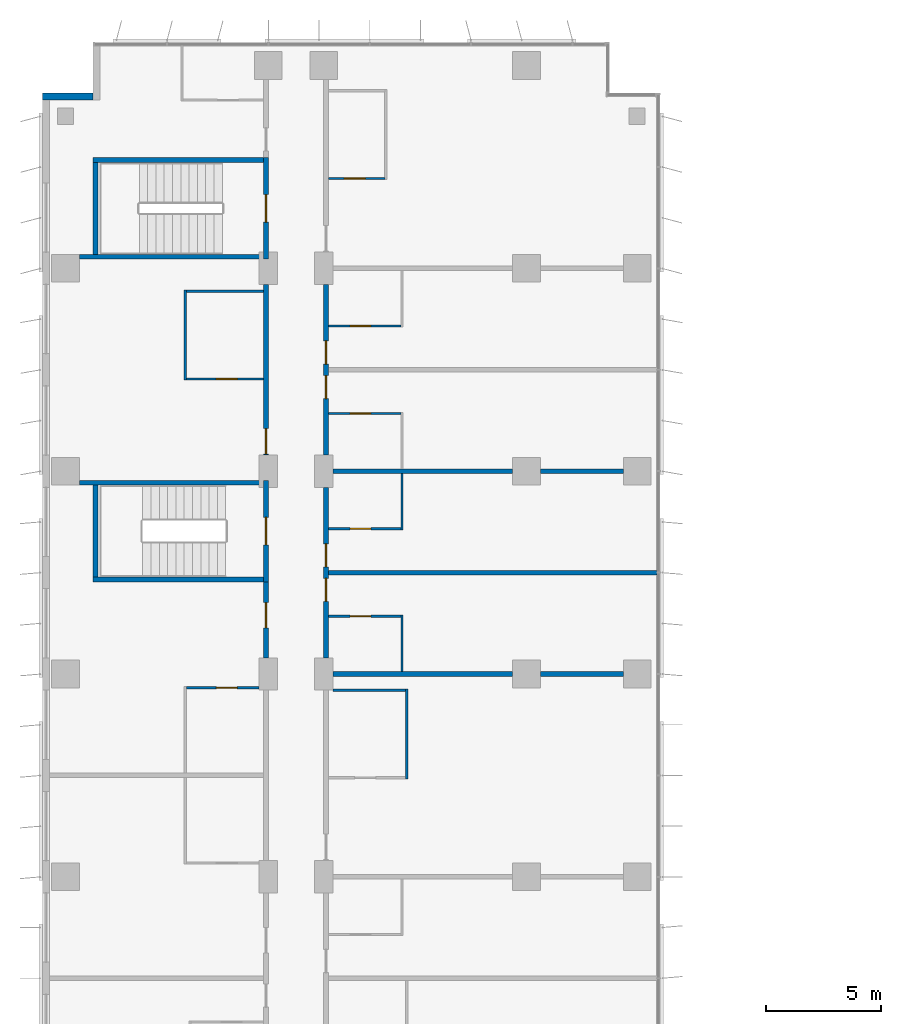
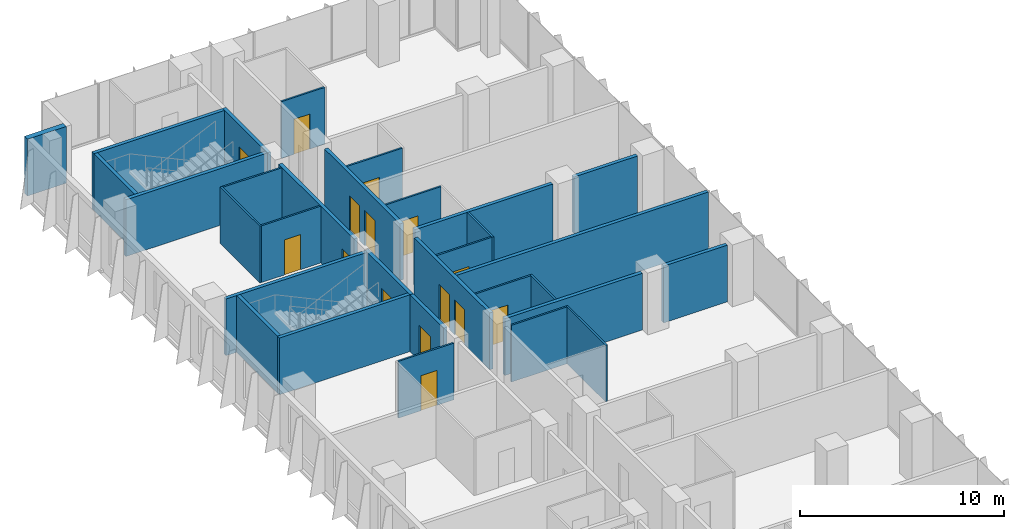
# One storey, part 16 of 22: 31 walls, 15 doors, 15 openings.
"""IFC4 building model written with IfcOpenShell, lengths in metres."""

from ifc_helpers import new_model, si_unit, direction, frame, frame_2d, origin, place, context, subcontext, project, spatial, rectangle, extrude, material, layer, layer_set, type_object, element, fill, save


model = new_model("IFC4")

# Units and contexts
model_context = context("Model", 3, precision=1e-05, world=origin(), true_north=direction((0.0, 1.0)))
body_context = subcontext(model_context, "Body", "Model", "MODEL_VIEW")
ifc_project = project(units=[si_unit("LENGTHUNIT", "METRE"), si_unit("AREAUNIT", "SQUARE_METRE"), si_unit("VOLUMEUNIT", "CUBIC_METRE"), si_unit("PLANEANGLEUNIT", "RADIAN"), si_unit("MASSUNIT", "GRAM", prefix="KILO")], contexts=[model_context])

# Site, building, storey
site_placement = place(None, origin())
site = spatial("IfcSite", under=ifc_project, at=site_placement, CompositionType="ELEMENT")
building_placement = place(site_placement, origin())
building = spatial("IfcBuilding", under=site, at=building_placement, Name="Kemantara Hotel Tower", CompositionType="ELEMENT")
storey_placement = place(building_placement, frame((0.0, 0.0, 94.5)))
storey = spatial("IfcBuildingStorey", under=building, at=storey_placement, Name="L22", CompositionType="ELEMENT", Elevation=94.5)

# Wall
ifc_material_1 = material(Name="Bronze anodised aluminium cladding on insulated steel stud wall", Category="steel")
ifc_layer_1 = layer(ifc_material_1, 0.300048828125)
ifc_layer_set_1 = layer_set([ifc_layer_1], Name="Bronze anodised aluminium cladding on insulated steel stud wall")
wall_type_1 = type_object("IfcWallType", Name="BRONZE METAL-CLAD EXTERNAL WALL 300", PredefinedType="STANDARD", material=ifc_layer_set_1)
wall_1_placement = place(storey_placement, frame((2.199951171875, 78.85009765625, 0.0), z_axis=(0.0, 0.0, 1.0), x_axis=(-1.0, 0.0, 0.0)))
element("IfcWall", 1, at=wall_1_placement, inside=storey, type_object=wall_type_1, Name="EXTERNAL WALL L22 T2-R03", PredefinedType="STANDARD", context=body_context, shape_type="SweptSolid", body=[
    extrude(rectangle(XDim=2.199951171875, YDim=0.300048828125, at=frame_2d((1.10009765625, 0.0))), origin(), (0.0, 0.0, 1.0), 3.39990234375),
])

# Wall, opening, door
ifc_material_2 = material(Name="Gypsum board partition, steel studs and mineral wool, 200 mm", Category="steel")
ifc_layer_2 = layer(ifc_material_2, 0.199951171875)
ifc_layer_set_2 = layer_set([ifc_layer_2], Name="Gypsum board partition, steel studs and mineral wool, 200 mm")
wall_type_2 = type_object("IfcWallType", Name="CORRIDOR WALL 200", PredefinedType="PARTITIONING", material=ifc_layer_set_2)
wall_2_placement = place(storey_placement, frame((9.699951171875, 54.5, 0.0), z_axis=(0.0, 0.0, 1.0), x_axis=(0.0, 1.0, 0.0)))
wall_2 = element("IfcWall", 2, at=wall_2_placement, inside=storey, type_object=wall_type_2, Name="CORRIDOR WALL 200 021", PredefinedType="PARTITIONING", context=body_context, shape_type="SweptSolid", body=[
    extrude(rectangle(XDim=3.300048828125, YDim=0.199951171875, at=frame_2d((1.64990234375, 0.0))), origin(), (0.0, 0.0, 1.0), 3.39990234375),
])
opening_1_placement = place(wall_2_placement, frame((1.2998046875, 0.0, 0.0)))
opening_1 = element("IfcOpeningElement", 3, at=opening_1_placement, cuts=wall_2, Name="Opening F08-027", PredefinedType="OPENING", context=body_context, shape_type="SweptSolid", body=[
    extrude(rectangle(XDim=1.10009765625, YDim=2.10009765625, at=frame_2d((0.550048828125, 1.050048828125))), frame((0.0, 0.10986328125, 0.0), z_axis=(0.0, -1.0, 0.0), x_axis=(1.0, 0.0, 0.0)), (0.0, 0.0, 1.0), 0.219970703125),
])
ifc_material_3 = material(Name="Hardwood veneer door leaf with steel frame", Category="steel")
door_type_1 = type_object("IfcDoorType", Name="SUITE ENTRANCE DOOR 1100 X 2100 FD30S", OperationType="NOTDEFINED", PredefinedType="DOOR", material=ifc_material_3)
door_1_placement = place(opening_1_placement, origin())
door_1 = element("IfcDoor", 4, at=door_1_placement, inside=storey, type_object=door_type_1, Name="SUITE ENTRANCE DOOR F08-027", OperationType="SINGLE_SWING_RIGHT", OverallHeight=2.10009765625, OverallWidth=1.10009765625, PredefinedType="DOOR", context=body_context, shape_type="SweptSolid", body=[
    extrude(rectangle(XDim=1.10009765625, YDim=2.10009765625, at=frame_2d((0.550048828125, 1.050048828125))), frame((0.0, 0.02490234375, 0.0), z_axis=(0.0, -1.0, 0.0), x_axis=(1.0, 0.0, 0.0)), (0.0, 0.0, 1.0), 0.050048828125),
])
fill(opening_1, door_1)

wall_3_placement = place(storey_placement, frame((9.699951171875, 63.300048828125, 0.0), z_axis=(0.0, 0.0, 1.0), x_axis=(0.0, 1.0, 0.0)))
wall_3 = element("IfcWall", 5, at=wall_3_placement, inside=storey, type_object=wall_type_2, Name="CORRIDOR WALL 200 022", PredefinedType="PARTITIONING", context=body_context, shape_type="SweptSolid", body=[
    extrude(rectangle(XDim=7.39990234375, YDim=0.199951171875, at=frame_2d((3.699951171875, 0.0))), origin(), (0.0, 0.0, 1.0), 3.39990234375),
])
opening_2_placement = place(wall_3_placement, frame((0.0498046875, 0.0, 0.0)))
opening_2 = element("IfcOpeningElement", 6, at=opening_2_placement, cuts=wall_3, Name="Opening F08-029", PredefinedType="OPENING", context=body_context, shape_type="SweptSolid", body=[
    extrude(rectangle(XDim=1.10009765625, YDim=2.10009765625, at=frame_2d((0.550048828125, 1.050048828125))), frame((0.0, 0.10986328125, 0.0), z_axis=(0.0, -1.0, 0.0), x_axis=(1.0, 0.0, 0.0)), (0.0, 0.0, 1.0), 0.219970703125),
])
door_2_placement = place(opening_2_placement, origin())
door_2 = element("IfcDoor", 7, at=door_2_placement, inside=storey, type_object=door_type_1, Name="SUITE ENTRANCE DOOR F08-029", OperationType="SINGLE_SWING_LEFT", OverallHeight=2.10009765625, OverallWidth=1.10009765625, PredefinedType="DOOR", context=body_context, shape_type="SweptSolid", body=[
    extrude(rectangle(XDim=1.10009765625, YDim=2.10009765625, at=frame_2d((0.550048828125, 1.050048828125))), frame((0.0, 0.02490234375, 0.0), z_axis=(0.0, -1.0, 0.0), x_axis=(1.0, 0.0, 0.0)), (0.0, 0.0, 1.0), 0.050048828125),
])
fill(opening_2, door_2)

# Wall, openings, doors
wall_4_placement = place(storey_placement, frame((12.300048828125, 61.89990234375, 0.0), z_axis=(0.0, 0.0, 1.0), x_axis=(0.0, -1.0, 0.0)))
wall_4 = element("IfcWall", 8, at=wall_4_placement, inside=storey, type_object=wall_type_2, Name="CORRIDOR WALL 200 034", PredefinedType="PARTITIONING", context=body_context, shape_type="SweptSolid", body=[
    extrude(rectangle(XDim=7.39990234375, YDim=0.199951171875, at=frame_2d((3.699951171875, 0.0))), origin(), (0.0, 0.0, 1.0), 3.39990234375),
])
opening_3_placement = place(wall_4_placement, frame((3.949951171875, 0.0, 0.0)))
opening_3 = element("IfcOpeningElement", 9, at=opening_3_placement, cuts=wall_4, Name="Opening F08-041", PredefinedType="OPENING", context=body_context, shape_type="SweptSolid", body=[
    extrude(rectangle(XDim=1.0, YDim=2.10009765625, at=frame_2d((0.5, 1.050048828125))), frame((0.0, 0.10986328125, 0.0), z_axis=(0.0, -1.0, 0.0), x_axis=(1.0, 0.0, 0.0)), (0.0, 0.0, 1.0), 0.219970703125),
])
opening_4_placement = place(wall_4_placement, frame((2.449951171875, 0.0, 0.0)))
opening_4 = element("IfcOpeningElement", 10, at=opening_4_placement, cuts=wall_4, Name="Opening F08-043", PredefinedType="OPENING", context=body_context, shape_type="SweptSolid", body=[
    extrude(rectangle(XDim=1.0, YDim=2.10009765625, at=frame_2d((0.5, 1.050048828125))), frame((0.0, 0.10986328125, 0.0), z_axis=(0.0, -1.0, 0.0), x_axis=(1.0, 0.0, 0.0)), (0.0, 0.0, 1.0), 0.219970703125),
])
door_type_2 = type_object("IfcDoorType", Name="GUEST ROOM DOOR 1000 X 2100 FD30S", OperationType="NOTDEFINED", PredefinedType="DOOR", material=ifc_material_3)
door_3_placement = place(opening_3_placement, origin())
door_3 = element("IfcDoor", 11, at=door_3_placement, inside=storey, type_object=door_type_2, Name="GUEST ROOM DOOR F08-041", OperationType="SINGLE_SWING_LEFT", OverallHeight=2.10009765625, OverallWidth=1.0, PredefinedType="DOOR", context=body_context, shape_type="SweptSolid", body=[
    extrude(rectangle(XDim=1.0, YDim=2.10009765625, at=frame_2d((0.5, 1.050048828125))), frame((0.0, 0.02490234375, 0.0), z_axis=(0.0, -1.0, 0.0), x_axis=(1.0, 0.0, 0.0)), (0.0, 0.0, 1.0), 0.050048828125),
])
fill(opening_3, door_3)
door_4_placement = place(opening_4_placement, origin())
door_4 = element("IfcDoor", 12, at=door_4_placement, inside=storey, type_object=door_type_2, Name="GUEST ROOM DOOR F08-043", OperationType="SINGLE_SWING_RIGHT", OverallHeight=2.10009765625, OverallWidth=1.0, PredefinedType="DOOR", context=body_context, shape_type="SweptSolid", body=[
    extrude(rectangle(XDim=1.0, YDim=2.10009765625, at=frame_2d((0.5, 1.050048828125))), frame((0.0, 0.02490234375, 0.0), z_axis=(0.0, -1.0, 0.0), x_axis=(1.0, 0.0, 0.0)), (0.0, 0.0, 1.0), 0.050048828125),
])
fill(opening_4, door_4)

wall_5_placement = place(storey_placement, frame((12.300048828125, 70.699951171875, 0.0), z_axis=(0.0, 0.0, 1.0), x_axis=(0.0, -1.0, 0.0)))
wall_5 = element("IfcWall", 13, at=wall_5_placement, inside=storey, type_object=wall_type_2, Name="CORRIDOR WALL 200 035", PredefinedType="PARTITIONING", context=body_context, shape_type="SweptSolid", body=[
    extrude(rectangle(XDim=7.39990234375, YDim=0.199951171875, at=frame_2d((3.699951171875, 0.0))), origin(), (0.0, 0.0, 1.0), 3.39990234375),
])
opening_5_placement = place(wall_5_placement, frame((3.949951171875, 0.0, 0.0)))
opening_5 = element("IfcOpeningElement", 14, at=opening_5_placement, cuts=wall_5, Name="Opening F08-045", PredefinedType="OPENING", context=body_context, shape_type="SweptSolid", body=[
    extrude(rectangle(XDim=1.0, YDim=2.10009765625, at=frame_2d((0.5, 1.050048828125))), frame((0.0, 0.10986328125, 0.0), z_axis=(0.0, -1.0, 0.0), x_axis=(1.0, 0.0, 0.0)), (0.0, 0.0, 1.0), 0.219970703125),
])
opening_6_placement = place(wall_5_placement, frame((2.449951171875, 0.0, 0.0)))
opening_6 = element("IfcOpeningElement", 15, at=opening_6_placement, cuts=wall_5, Name="Opening F08-047", PredefinedType="OPENING", context=body_context, shape_type="SweptSolid", body=[
    extrude(rectangle(XDim=1.0, YDim=2.10009765625, at=frame_2d((0.5, 1.050048828125))), frame((0.0, 0.10986328125, 0.0), z_axis=(0.0, -1.0, 0.0), x_axis=(1.0, 0.0, 0.0)), (0.0, 0.0, 1.0), 0.219970703125),
])
door_5_placement = place(opening_5_placement, origin())
door_5 = element("IfcDoor", 16, at=door_5_placement, inside=storey, type_object=door_type_2, Name="GUEST ROOM DOOR F08-045", OperationType="SINGLE_SWING_LEFT", OverallHeight=2.10009765625, OverallWidth=1.0, PredefinedType="DOOR", context=body_context, shape_type="SweptSolid", body=[
    extrude(rectangle(XDim=1.0, YDim=2.10009765625, at=frame_2d((0.5, 1.050048828125))), frame((0.0, 0.02490234375, 0.0), z_axis=(0.0, -1.0, 0.0), x_axis=(1.0, 0.0, 0.0)), (0.0, 0.0, 1.0), 0.050048828125),
])
fill(opening_5, door_5)
door_6_placement = place(opening_6_placement, origin())
door_6 = element("IfcDoor", 17, at=door_6_placement, inside=storey, type_object=door_type_2, Name="GUEST ROOM DOOR F08-047", OperationType="SINGLE_SWING_RIGHT", OverallHeight=2.10009765625, OverallWidth=1.0, PredefinedType="DOOR", context=body_context, shape_type="SweptSolid", body=[
    extrude(rectangle(XDim=1.0, YDim=2.10009765625, at=frame_2d((0.5, 1.050048828125))), frame((0.0, 0.02490234375, 0.0), z_axis=(0.0, -1.0, 0.0), x_axis=(1.0, 0.0, 0.0)), (0.0, 0.0, 1.0), 0.050048828125),
])
fill(opening_6, door_6)

# Wall, opening, door
ifc_material_4 = material(Name="Concrete fc 40 MPa", Category="concrete")
ifc_layer_3 = layer(ifc_material_4, 0.199951171875)
ifc_layer_set_3 = layer_set([ifc_layer_3], Name="Concrete fc 40 MPa")
wall_type_3 = type_object("IfcWallType", Name="Concrete stair wall 200 mm", PredefinedType="SHEAR", material=ifc_layer_set_3)
wall_6_placement = place(storey_placement, frame((9.699951171875, 57.800048828125, 0.0), z_axis=(0.0, 0.0, 1.0), x_axis=(0.0, 1.0, 0.0)))
wall_6 = element("IfcWall", 18, at=wall_6_placement, inside=storey, type_object=wall_type_3, Name="Stair ST4 enclosure wall with door", PredefinedType="SHEAR", context=body_context, shape_type="SweptSolid", body=[
    extrude(rectangle(XDim=4.39990234375, YDim=0.199951171875, at=frame_2d((2.199951171875, 0.0))), origin(), (0.0, 0.0, 1.0), 3.39990234375),
])
opening_7_placement = place(wall_6_placement, frame((1.60009765625, 0.0, 0.0)))
opening_7 = element("IfcOpeningElement", 19, at=opening_7_placement, cuts=wall_6, Name="Opening ST4-C", PredefinedType="OPENING", context=body_context, shape_type="SweptSolid", body=[
    extrude(rectangle(XDim=1.199951171875, YDim=2.10009765625, at=frame_2d((0.60009765625, 1.050048828125))), frame((0.0, 0.10986328125, 0.0), z_axis=(0.0, -1.0, 0.0), x_axis=(1.0, 0.0, 0.0)), (0.0, 0.0, 1.0), 0.219970703125),
])
ifc_material_5 = material(Name="Steel fire door", Category="steel")
door_type_3 = type_object("IfcDoorType", Name="Fire door FD90 1200 x 2100", OperationType="NOTDEFINED", PredefinedType="DOOR", material=ifc_material_5)
door_7_placement = place(opening_7_placement, origin())
door_7 = element("IfcDoor", 20, at=door_7_placement, inside=storey, type_object=door_type_3, Name="Stair ST4 door", OperationType="SINGLE_SWING_RIGHT", OverallHeight=2.10009765625, OverallWidth=1.199951171875, PredefinedType="DOOR", context=body_context, shape_type="SweptSolid", body=[
    extrude(rectangle(XDim=1.199951171875, YDim=2.10009765625, at=frame_2d((0.60009765625, 1.050048828125))), frame((0.0, 0.02490234375, 0.0), z_axis=(0.0, -1.0, 0.0), x_axis=(1.0, 0.0, 0.0)), (0.0, 0.0, 1.0), 0.050048828125),
])
fill(opening_7, door_7)

# Walls
wall_7_placement = place(storey_placement, frame((1.60009765625, 62.10009765625, 0.0), z_axis=(0.0, 0.0, 1.0), x_axis=(1.0, 0.0, 0.0)))
element("IfcWall", 21, at=wall_7_placement, inside=storey, type_object=wall_type_3, Name="Stair ST4 enclosure wall N", PredefinedType="SHEAR", context=body_context, shape_type="SweptSolid", body=[
    extrude(rectangle(XDim=8.0, YDim=0.199951171875, at=frame_2d((4.0, 0.0))), origin(), (0.0, 0.0, 1.0), 3.39990234375),
])
wall_8_placement = place(storey_placement, frame((2.199951171875, 57.89990234375, 0.0), z_axis=(0.0, 0.0, 1.0), x_axis=(1.0, 0.0, 0.0)))
element("IfcWall", 22, at=wall_8_placement, inside=storey, type_object=wall_type_3, Name="Stair ST4 enclosure wall S", PredefinedType="SHEAR", context=body_context, shape_type="SweptSolid", body=[
    extrude(rectangle(XDim=7.400146484375, YDim=0.199951171875, at=frame_2d((3.7001953125, 0.0))), origin(), (0.0, 0.0, 1.0), 3.39990234375),
])
wall_9_placement = place(storey_placement, frame((2.300048828125, 58.0, 0.0), z_axis=(0.0, 0.0, 1.0), x_axis=(0.0, 1.0, 0.0)))
element("IfcWall", 23, at=wall_9_placement, inside=storey, type_object=wall_type_3, Name="Stair ST4 enclosure wall W", PredefinedType="SHEAR", context=body_context, shape_type="SweptSolid", body=[
    extrude(rectangle(XDim=4.0, YDim=0.199951171875, at=frame_2d((2.0, 0.0))), origin(), (0.0, 0.0, 1.0), 3.39990234375),
])

# Wall, opening, door
wall_10_placement = place(storey_placement, frame((9.699951171875, 71.800048828125, 0.0), z_axis=(0.0, 0.0, 1.0), x_axis=(0.0, 1.0, 0.0)))
wall_10 = element("IfcWall", 24, at=wall_10_placement, inside=storey, type_object=wall_type_3, Name="Stair ST6 enclosure wall with door", PredefinedType="SHEAR", context=body_context, shape_type="SweptSolid", body=[
    extrude(rectangle(XDim=4.39990234375, YDim=0.199951171875, at=frame_2d((2.199951171875, 0.0))), origin(), (0.0, 0.0, 1.0), 3.39990234375),
])
opening_8_placement = place(wall_10_placement, frame((1.60009765625, 0.0, 0.0)))
opening_8 = element("IfcOpeningElement", 25, at=opening_8_placement, cuts=wall_10, Name="Opening ST6-C", PredefinedType="OPENING", context=body_context, shape_type="SweptSolid", body=[
    extrude(rectangle(XDim=1.199951171875, YDim=2.10009765625, at=frame_2d((0.60009765625, 1.050048828125))), frame((0.0, 0.10986328125, 0.0), z_axis=(0.0, -1.0, 0.0), x_axis=(1.0, 0.0, 0.0)), (0.0, 0.0, 1.0), 0.219970703125),
])
door_8_placement = place(opening_8_placement, origin())
door_8 = element("IfcDoor", 26, at=door_8_placement, inside=storey, type_object=door_type_3, Name="Stair ST6 door", OperationType="SINGLE_SWING_RIGHT", OverallHeight=2.10009765625, OverallWidth=1.199951171875, PredefinedType="DOOR", context=body_context, shape_type="SweptSolid", body=[
    extrude(rectangle(XDim=1.199951171875, YDim=2.10009765625, at=frame_2d((0.60009765625, 1.050048828125))), frame((0.0, 0.02490234375, 0.0), z_axis=(0.0, -1.0, 0.0), x_axis=(1.0, 0.0, 0.0)), (0.0, 0.0, 1.0), 0.050048828125),
])
fill(opening_8, door_8)

# Walls
wall_11_placement = place(storey_placement, frame((2.199951171875, 76.10009765625, 0.0), z_axis=(0.0, 0.0, 1.0), x_axis=(1.0, 0.0, 0.0)))
element("IfcWall", 27, at=wall_11_placement, inside=storey, type_object=wall_type_3, Name="Stair ST6 enclosure wall N", PredefinedType="SHEAR", context=body_context, shape_type="SweptSolid", body=[
    extrude(rectangle(XDim=7.400146484375, YDim=0.199951171875, at=frame_2d((3.7001953125, 0.0))), origin(), (0.0, 0.0, 1.0), 3.39990234375),
])
wall_12_placement = place(storey_placement, frame((1.60009765625, 71.89990234375, 0.0), z_axis=(0.0, 0.0, 1.0), x_axis=(1.0, 0.0, 0.0)))
element("IfcWall", 28, at=wall_12_placement, inside=storey, type_object=wall_type_3, Name="Stair ST6 enclosure wall S", PredefinedType="SHEAR", context=body_context, shape_type="SweptSolid", body=[
    extrude(rectangle(XDim=8.0, YDim=0.199951171875, at=frame_2d((4.0, 0.0))), origin(), (0.0, 0.0, 1.0), 3.39990234375),
])
wall_13_placement = place(storey_placement, frame((2.300048828125, 72.0, 0.0), z_axis=(0.0, 0.0, 1.0), x_axis=(0.0, 1.0, 0.0)))
element("IfcWall", 29, at=wall_13_placement, inside=storey, type_object=wall_type_3, Name="Stair ST6 enclosure wall W", PredefinedType="SHEAR", context=body_context, shape_type="SweptSolid", body=[
    extrude(rectangle(XDim=4.0, YDim=0.199951171875, at=frame_2d((2.0, 0.0))), origin(), (0.0, 0.0, 1.0), 3.39990234375),
])
ifc_layer_4 = layer(ifc_material_2, 0.199951171875)
ifc_layer_set_4 = layer_set([ifc_layer_4], Name="Gypsum board partition, steel studs and mineral wool, 200 mm")
wall_type_4 = type_object("IfcWallType", Name="GUEST ROOM PARTY WALL 200", PredefinedType="PARTITIONING", material=ifc_layer_set_4)
wall_14_placement = place(storey_placement, frame((12.60009765625, 53.800048828125, 0.0), z_axis=(0.0, 0.0, 1.0), x_axis=(1.0, 0.0, 0.0)))
element("IfcWall", 30, at=wall_14_placement, inside=storey, type_object=wall_type_4, Name="GUEST ROOM PARTY WALL 200 042", PredefinedType="PARTITIONING", context=body_context, shape_type="SweptSolid", body=[
    extrude(rectangle(XDim=7.7998046875, YDim=0.199951171875, at=frame_2d((3.89990234375, 0.0))), origin(), (0.0, 0.0, 1.0), 3.39990234375),
])
wall_15_placement = place(storey_placement, frame((21.60009765625, 53.800048828125, 0.0), z_axis=(0.0, 0.0, 1.0), x_axis=(1.0, 0.0, 0.0)))
element("IfcWall", 31, at=wall_15_placement, inside=storey, type_object=wall_type_4, Name="GUEST ROOM PARTY WALL 200 043", PredefinedType="PARTITIONING", context=body_context, shape_type="SweptSolid", body=[
    extrude(rectangle(XDim=3.599853515625, YDim=0.199951171875, at=frame_2d((1.7998046875, 0.0))), origin(), (0.0, 0.0, 1.0), 3.39990234375),
])
wall_16_placement = place(storey_placement, frame((12.39990234375, 58.199951171875, 0.0), z_axis=(0.0, 0.0, 1.0), x_axis=(1.0, 0.0, 0.0)))
element("IfcWall", 32, at=wall_16_placement, inside=storey, type_object=wall_type_4, Name="GUEST ROOM PARTY WALL 200 044", PredefinedType="PARTITIONING", context=body_context, shape_type="SweptSolid", body=[
    extrude(rectangle(XDim=14.27001953125, YDim=0.199951171875, at=frame_2d((7.135009765625, 0.0))), origin(), (0.0, 0.0, 1.0), 3.39990234375),
])
wall_17_placement = place(storey_placement, frame((12.60009765625, 62.60009765625, 0.0), z_axis=(0.0, 0.0, 1.0), x_axis=(1.0, 0.0, 0.0)))
element("IfcWall", 33, at=wall_17_placement, inside=storey, type_object=wall_type_4, Name="GUEST ROOM PARTY WALL 200 045", PredefinedType="PARTITIONING", context=body_context, shape_type="SweptSolid", body=[
    extrude(rectangle(XDim=7.7998046875, YDim=0.199951171875, at=frame_2d((3.89990234375, 0.0))), origin(), (0.0, 0.0, 1.0), 3.39990234375),
])
wall_18_placement = place(storey_placement, frame((21.60009765625, 62.60009765625, 0.0), z_axis=(0.0, 0.0, 1.0), x_axis=(1.0, 0.0, 0.0)))
element("IfcWall", 34, at=wall_18_placement, inside=storey, type_object=wall_type_4, Name="GUEST ROOM PARTY WALL 200 046", PredefinedType="PARTITIONING", context=body_context, shape_type="SweptSolid", body=[
    extrude(rectangle(XDim=3.599853515625, YDim=0.199951171875, at=frame_2d((1.7998046875, 0.0))), origin(), (0.0, 0.0, 1.0), 3.39990234375),
])
ifc_material_6 = material(Name="Gypsum board partition on steel studs, 100 mm", Category="steel")
ifc_layer_5 = layer(ifc_material_6, 0.10009765625)
ifc_layer_set_5 = layer_set([ifc_layer_5], Name="Gypsum board partition on steel studs, 100 mm")
wall_type_5 = type_object("IfcWallType", Name="ROOM PARTITION 100", PredefinedType="PARTITIONING", material=ifc_layer_set_5)
wall_19_placement = place(storey_placement, frame((6.199951171875, 66.550048828125, 0.0), z_axis=(0.0, 0.0, 1.0), x_axis=(0.0, 1.0, 0.0)))
element("IfcWall", 35, at=wall_19_placement, inside=storey, type_object=wall_type_5, Name="ROOM PARTITION 100 076", PredefinedType="PARTITIONING", context=body_context, shape_type="SweptSolid", body=[
    extrude(rectangle(XDim=3.89990234375, YDim=0.10009765625, at=frame_2d((1.949951171875, 0.0))), origin(), (0.0, 0.0, 1.0), 3.39990234375),
])

# Wall, opening, door
wall_20_placement = place(storey_placement, frame((9.39990234375, 53.199951171875, 0.0), z_axis=(0.0, 0.0, 1.0), x_axis=(-1.0, 0.0, 0.0)))
wall_20 = element("IfcWall", 36, at=wall_20_placement, inside=storey, type_object=wall_type_5, Name="ROOM PARTITION 100 081", PredefinedType="PARTITIONING", context=body_context, shape_type="SweptSolid", body=[
    extrude(rectangle(XDim=3.14990234375, YDim=0.10009765625, at=frame_2d((1.574951171875, 0.0))), origin(), (0.0, 0.0, 1.0), 3.39990234375),
])
opening_9_placement = place(wall_20_placement, frame((0.949951171875, 0.0, 0.0)))
opening_9 = element("IfcOpeningElement", 37, at=opening_9_placement, cuts=wall_20, Name="Opening F08-028", PredefinedType="OPENING", context=body_context, shape_type="SweptSolid", body=[
    extrude(rectangle(XDim=0.89990234375, YDim=2.10009765625, at=frame_2d((0.449951171875, 1.050048828125))), frame((0.0, 0.06005859375, 0.0), z_axis=(0.0, -1.0, 0.0), x_axis=(1.0, 0.0, 0.0)), (0.0, 0.0, 1.0), 0.1201171875),
])
door_type_4 = type_object("IfcDoorType", Name="BATHROOM DOOR 900 X 2100", OperationType="NOTDEFINED", PredefinedType="DOOR", material=ifc_material_3)
door_9_placement = place(opening_9_placement, origin())
door_9 = element("IfcDoor", 38, at=door_9_placement, inside=storey, type_object=door_type_4, Name="BATHROOM DOOR F08-028", OperationType="SINGLE_SWING_LEFT", OverallHeight=2.10009765625, OverallWidth=0.89990234375, PredefinedType="DOOR", context=body_context, shape_type="SweptSolid", body=[
    extrude(rectangle(XDim=0.89990234375, YDim=2.10009765625, at=frame_2d((0.449951171875, 1.050048828125))), frame((0.0, 0.02490234375, 0.0), z_axis=(0.0, -1.0, 0.0), x_axis=(1.0, 0.0, 0.0)), (0.0, 0.0, 1.0), 0.050048828125),
])
fill(opening_9, door_9)

wall_21_placement = place(storey_placement, frame((6.25, 66.60009765625, 0.0), z_axis=(0.0, 0.0, 1.0), x_axis=(1.0, 0.0, 0.0)))
wall_21 = element("IfcWall", 39, at=wall_21_placement, inside=storey, type_object=wall_type_5, Name="ROOM PARTITION 100 082", PredefinedType="PARTITIONING", context=body_context, shape_type="SweptSolid", body=[
    extrude(rectangle(XDim=3.35009765625, YDim=0.10009765625, at=frame_2d((1.675048828125, 0.0))), origin(), (0.0, 0.0, 1.0), 3.39990234375),
])
opening_10_placement = place(wall_21_placement, frame((1.300048828125, 0.0, 0.0)))
opening_10 = element("IfcOpeningElement", 40, at=opening_10_placement, cuts=wall_21, Name="Opening F08-030", PredefinedType="OPENING", context=body_context, shape_type="SweptSolid", body=[
    extrude(rectangle(XDim=0.89990234375, YDim=2.10009765625, at=frame_2d((0.449951171875, 1.050048828125))), frame((0.0, 0.06005859375, 0.0), z_axis=(0.0, -1.0, 0.0), x_axis=(1.0, 0.0, 0.0)), (0.0, 0.0, 1.0), 0.1201171875),
])
door_10_placement = place(opening_10_placement, origin())
door_10 = element("IfcDoor", 41, at=door_10_placement, inside=storey, type_object=door_type_4, Name="BATHROOM DOOR F08-030", OperationType="SINGLE_SWING_RIGHT", OverallHeight=2.10009765625, OverallWidth=0.89990234375, PredefinedType="DOOR", context=body_context, shape_type="SweptSolid", body=[
    extrude(rectangle(XDim=0.89990234375, YDim=2.10009765625, at=frame_2d((0.449951171875, 1.050048828125))), frame((0.0, 0.02490234375, 0.0), z_axis=(0.0, -1.0, 0.0), x_axis=(1.0, 0.0, 0.0)), (0.0, 0.0, 1.0), 0.050048828125),
])
fill(opening_10, door_10)

# Walls
wall_22_placement = place(storey_placement, frame((6.25, 70.39990234375, 0.0), z_axis=(0.0, 0.0, 1.0), x_axis=(1.0, 0.0, 0.0)))
element("IfcWall", 42, at=wall_22_placement, inside=storey, type_object=wall_type_5, Name="ROOM PARTITION 100 083", PredefinedType="PARTITIONING", context=body_context, shape_type="SweptSolid", body=[
    extrude(rectangle(XDim=3.35009765625, YDim=0.10009765625, at=frame_2d((1.675048828125, 0.0))), origin(), (0.0, 0.0, 1.0), 3.39990234375),
])
wall_23_placement = place(storey_placement, frame((15.800048828125, 49.25, 0.0), z_axis=(0.0, 0.0, 1.0), x_axis=(0.0, 1.0, 0.0)))
element("IfcWall", 43, at=wall_23_placement, inside=storey, type_object=wall_type_5, Name="ROOM PARTITION 100 087", PredefinedType="PARTITIONING", context=body_context, shape_type="SweptSolid", body=[
    extrude(rectangle(XDim=3.89990234375, YDim=0.10009765625, at=frame_2d((1.949951171875, 0.0))), origin(), (0.0, 0.0, 1.0), 3.39990234375),
])
wall_24_placement = place(storey_placement, frame((15.60009765625, 53.89990234375, 0.0), z_axis=(0.0, 0.0, 1.0), x_axis=(0.0, 1.0, 0.0)))
element("IfcWall", 44, at=wall_24_placement, inside=storey, type_object=wall_type_5, Name="ROOM PARTITION 100 091", PredefinedType="PARTITIONING", context=body_context, shape_type="SweptSolid", body=[
    extrude(rectangle(XDim=2.4501953125, YDim=0.10009765625, at=frame_2d((1.22509765625, 0.0))), origin(), (0.0, 0.0, 1.0), 3.39990234375),
])
wall_25_placement = place(storey_placement, frame((15.60009765625, 60.050048828125, 0.0), z_axis=(0.0, 0.0, 1.0), x_axis=(0.0, 1.0, 0.0)))
element("IfcWall", 45, at=wall_25_placement, inside=storey, type_object=wall_type_5, Name="ROOM PARTITION 100 092", PredefinedType="PARTITIONING", context=body_context, shape_type="SweptSolid", body=[
    extrude(rectangle(XDim=2.449951171875, YDim=0.10009765625, at=frame_2d((1.22509765625, 0.0))), origin(), (0.0, 0.0, 1.0), 3.39990234375),
])
wall_26_placement = place(storey_placement, frame((12.60009765625, 53.10009765625, 0.0), z_axis=(0.0, 0.0, 1.0), x_axis=(1.0, 0.0, 0.0)))
element("IfcWall", 46, at=wall_26_placement, inside=storey, type_object=wall_type_5, Name="ROOM PARTITION 100 097", PredefinedType="PARTITIONING", context=body_context, shape_type="SweptSolid", body=[
    extrude(rectangle(XDim=3.14990234375, YDim=0.10009765625, at=frame_2d((1.574951171875, 0.0))), origin(), (0.0, 0.0, 1.0), 3.39990234375),
])

# Wall, opening, door
wall_27_placement = place(storey_placement, frame((15.550048828125, 56.300048828125, 0.0), z_axis=(0.0, 0.0, 1.0), x_axis=(-1.0, 0.0, 0.0)))
wall_27 = element("IfcWall", 47, at=wall_27_placement, inside=storey, type_object=wall_type_5, Name="ROOM PARTITION 100 098", PredefinedType="PARTITIONING", context=body_context, shape_type="SweptSolid", body=[
    extrude(rectangle(XDim=3.150146484375, YDim=0.10009765625, at=frame_2d((1.5751953125, 0.0))), origin(), (0.0, 0.0, 1.0), 3.39990234375),
])
opening_11_placement = place(wall_27_placement, frame((1.300048828125, 0.0, 0.0)))
opening_11 = element("IfcOpeningElement", 48, at=opening_11_placement, cuts=wall_27, Name="Opening F08-042", PredefinedType="OPENING", context=body_context, shape_type="SweptSolid", body=[
    extrude(rectangle(XDim=0.89990234375, YDim=2.10009765625, at=frame_2d((0.449951171875, 1.050048828125))), frame((0.0, 0.06005859375, 0.0), z_axis=(0.0, -1.0, 0.0), x_axis=(1.0, 0.0, 0.0)), (0.0, 0.0, 1.0), 0.1201171875),
])
door_11_placement = place(opening_11_placement, origin())
door_11 = element("IfcDoor", 49, at=door_11_placement, inside=storey, type_object=door_type_4, Name="BATHROOM DOOR F08-042", OperationType="SINGLE_SWING_RIGHT", OverallHeight=2.10009765625, OverallWidth=0.89990234375, PredefinedType="DOOR", context=body_context, shape_type="SweptSolid", body=[
    extrude(rectangle(XDim=0.89990234375, YDim=2.10009765625, at=frame_2d((0.449951171875, 1.050048828125))), frame((0.0, 0.02490234375, 0.0), z_axis=(0.0, -1.0, 0.0), x_axis=(1.0, 0.0, 0.0)), (0.0, 0.0, 1.0), 0.050048828125),
])
fill(opening_11, door_11)

wall_28_placement = place(storey_placement, frame((12.39990234375, 60.10009765625, 0.0), z_axis=(0.0, 0.0, 1.0), x_axis=(1.0, 0.0, 0.0)))
wall_28 = element("IfcWall", 50, at=wall_28_placement, inside=storey, type_object=wall_type_5, Name="ROOM PARTITION 100 099", PredefinedType="PARTITIONING", context=body_context, shape_type="SweptSolid", body=[
    extrude(rectangle(XDim=3.150146484375, YDim=0.10009765625, at=frame_2d((1.5751953125, 0.0))), origin(), (0.0, 0.0, 1.0), 3.39990234375),
])
opening_12_placement = place(wall_28_placement, frame((0.949951171875, 0.0, 0.0)))
opening_12 = element("IfcOpeningElement", 51, at=opening_12_placement, cuts=wall_28, Name="Opening F08-044", PredefinedType="OPENING", context=body_context, shape_type="SweptSolid", body=[
    extrude(rectangle(XDim=0.89990234375, YDim=2.10009765625, at=frame_2d((0.449951171875, 1.050048828125))), frame((0.0, 0.06005859375, 0.0), z_axis=(0.0, -1.0, 0.0), x_axis=(1.0, 0.0, 0.0)), (0.0, 0.0, 1.0), 0.1201171875),
])
door_12_placement = place(opening_12_placement, origin())
door_12 = element("IfcDoor", 52, at=door_12_placement, inside=storey, type_object=door_type_4, Name="BATHROOM DOOR F08-044", OperationType="SINGLE_SWING_LEFT", OverallHeight=2.10009765625, OverallWidth=0.89990234375, PredefinedType="DOOR", context=body_context, shape_type="SweptSolid", body=[
    extrude(rectangle(XDim=0.89990234375, YDim=2.10009765625, at=frame_2d((0.449951171875, 1.050048828125))), frame((0.0, 0.02490234375, 0.0), z_axis=(0.0, -1.0, 0.0), x_axis=(1.0, 0.0, 0.0)), (0.0, 0.0, 1.0), 0.050048828125),
])
fill(opening_12, door_12)

wall_29_placement = place(storey_placement, frame((15.550048828125, 65.10009765625, 0.0), z_axis=(0.0, 0.0, 1.0), x_axis=(-1.0, 0.0, 0.0)))
wall_29 = element("IfcWall", 53, at=wall_29_placement, inside=storey, type_object=wall_type_5, Name="ROOM PARTITION 100 100", PredefinedType="PARTITIONING", context=body_context, shape_type="SweptSolid", body=[
    extrude(rectangle(XDim=3.150146484375, YDim=0.10009765625, at=frame_2d((1.5751953125, 0.0))), origin(), (0.0, 0.0, 1.0), 3.39990234375),
])
opening_13_placement = place(wall_29_placement, frame((1.300048828125, 0.0, 0.0)))
opening_13 = element("IfcOpeningElement", 54, at=opening_13_placement, cuts=wall_29, Name="Opening F08-046", PredefinedType="OPENING", context=body_context, shape_type="SweptSolid", body=[
    extrude(rectangle(XDim=0.89990234375, YDim=2.10009765625, at=frame_2d((0.449951171875, 1.050048828125))), frame((0.0, 0.06005859375, 0.0), z_axis=(0.0, -1.0, 0.0), x_axis=(1.0, 0.0, 0.0)), (0.0, 0.0, 1.0), 0.1201171875),
])
door_13_placement = place(opening_13_placement, origin())
door_13 = element("IfcDoor", 55, at=door_13_placement, inside=storey, type_object=door_type_4, Name="BATHROOM DOOR F08-046", OperationType="SINGLE_SWING_RIGHT", OverallHeight=2.10009765625, OverallWidth=0.89990234375, PredefinedType="DOOR", context=body_context, shape_type="SweptSolid", body=[
    extrude(rectangle(XDim=0.89990234375, YDim=2.10009765625, at=frame_2d((0.449951171875, 1.050048828125))), frame((0.0, 0.02490234375, 0.0), z_axis=(0.0, -1.0, 0.0), x_axis=(1.0, 0.0, 0.0)), (0.0, 0.0, 1.0), 0.050048828125),
])
fill(opening_13, door_13)

wall_30_placement = place(storey_placement, frame((12.39990234375, 68.89990234375, 0.0), z_axis=(0.0, 0.0, 1.0), x_axis=(1.0, 0.0, 0.0)))
wall_30 = element("IfcWall", 56, at=wall_30_placement, inside=storey, type_object=wall_type_5, Name="ROOM PARTITION 100 101", PredefinedType="PARTITIONING", context=body_context, shape_type="SweptSolid", body=[
    extrude(rectangle(XDim=3.150146484375, YDim=0.10009765625, at=frame_2d((1.5751953125, 0.0))), origin(), (0.0, 0.0, 1.0), 3.39990234375),
])
opening_14_placement = place(wall_30_placement, frame((0.949951171875, 0.0, 0.0)))
opening_14 = element("IfcOpeningElement", 57, at=opening_14_placement, cuts=wall_30, Name="Opening F08-048", PredefinedType="OPENING", context=body_context, shape_type="SweptSolid", body=[
    extrude(rectangle(XDim=0.89990234375, YDim=2.10009765625, at=frame_2d((0.449951171875, 1.050048828125))), frame((0.0, 0.06005859375, 0.0), z_axis=(0.0, -1.0, 0.0), x_axis=(1.0, 0.0, 0.0)), (0.0, 0.0, 1.0), 0.1201171875),
])
door_14_placement = place(opening_14_placement, origin())
door_14 = element("IfcDoor", 58, at=door_14_placement, inside=storey, type_object=door_type_4, Name="BATHROOM DOOR F08-048", OperationType="SINGLE_SWING_LEFT", OverallHeight=2.10009765625, OverallWidth=0.89990234375, PredefinedType="DOOR", context=body_context, shape_type="SweptSolid", body=[
    extrude(rectangle(XDim=0.89990234375, YDim=2.10009765625, at=frame_2d((0.449951171875, 1.050048828125))), frame((0.0, 0.02490234375, 0.0), z_axis=(0.0, -1.0, 0.0), x_axis=(1.0, 0.0, 0.0)), (0.0, 0.0, 1.0), 0.050048828125),
])
fill(opening_14, door_14)

wall_31_placement = place(storey_placement, frame((12.39990234375, 75.300048828125, 0.0), z_axis=(0.0, 0.0, 1.0), x_axis=(1.0, 0.0, 0.0)))
wall_31 = element("IfcWall", 59, at=wall_31_placement, inside=storey, type_object=wall_type_5, Name="ROOM PARTITION 100 103", PredefinedType="PARTITIONING", context=body_context, shape_type="SweptSolid", body=[
    extrude(rectangle(XDim=2.4501953125, YDim=0.10009765625, at=frame_2d((1.22509765625, 0.0))), origin(), (0.0, 0.0, 1.0), 3.39990234375),
])
opening_15_placement = place(wall_31_placement, frame((0.699951171875, 0.0, 0.0)))
opening_15 = element("IfcOpeningElement", 60, at=opening_15_placement, cuts=wall_31, Name="Opening F08-050", PredefinedType="OPENING", context=body_context, shape_type="SweptSolid", body=[
    extrude(rectangle(XDim=0.89990234375, YDim=2.10009765625, at=frame_2d((0.449951171875, 1.050048828125))), frame((0.0, 0.06005859375, 0.0), z_axis=(0.0, -1.0, 0.0), x_axis=(1.0, 0.0, 0.0)), (0.0, 0.0, 1.0), 0.1201171875),
])
door_15_placement = place(opening_15_placement, origin())
door_15 = element("IfcDoor", 61, at=door_15_placement, inside=storey, type_object=door_type_4, Name="BATHROOM DOOR F08-050", OperationType="SINGLE_SWING_LEFT", OverallHeight=2.10009765625, OverallWidth=0.89990234375, PredefinedType="DOOR", context=body_context, shape_type="SweptSolid", body=[
    extrude(rectangle(XDim=0.89990234375, YDim=2.10009765625, at=frame_2d((0.449951171875, 1.050048828125))), frame((0.0, 0.02490234375, 0.0), z_axis=(0.0, -1.0, 0.0), x_axis=(1.0, 0.0, 0.0)), (0.0, 0.0, 1.0), 0.050048828125),
])
fill(opening_15, door_15)

save(model, "model.ifc")
